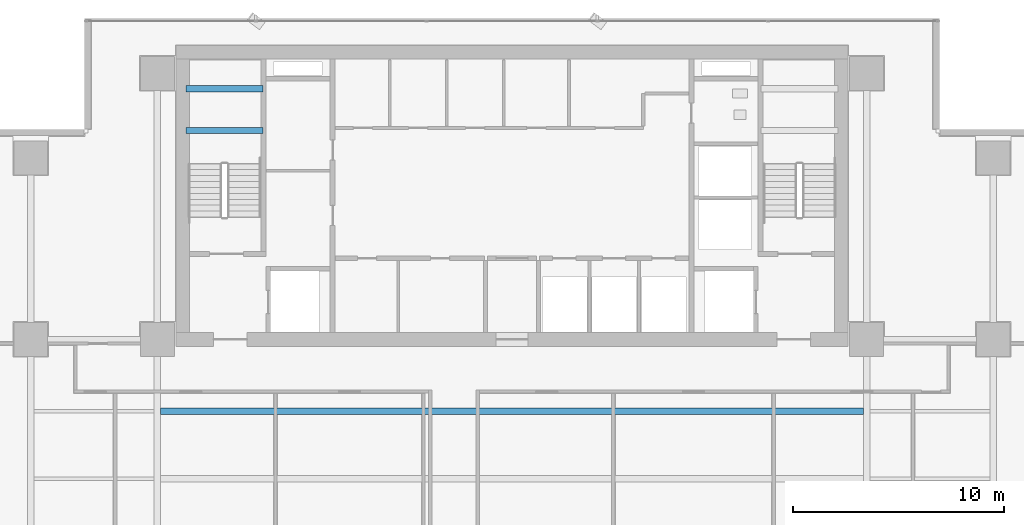
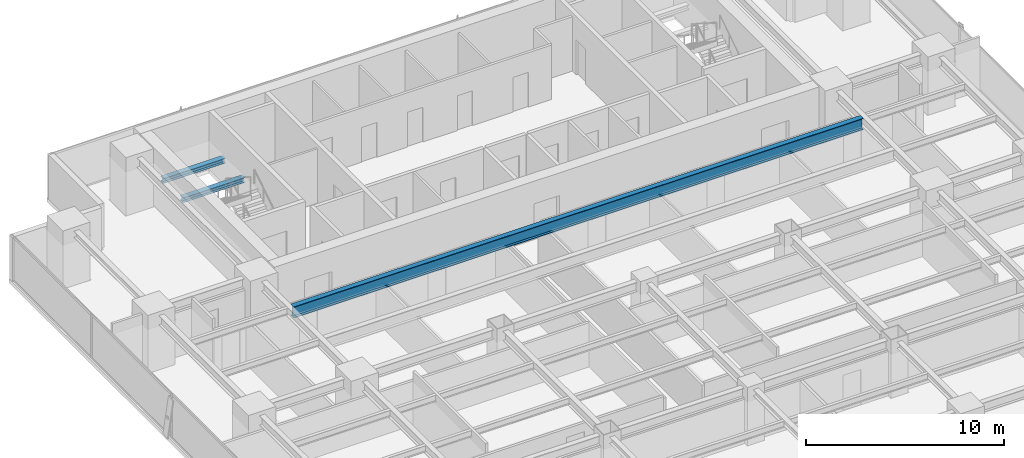
# One storey, part 19 of 37: 3 beams.
"""IFC4 building model written with IfcOpenShell, lengths in metres."""

import ifcopenshell
import ifcopenshell.guid

model = None  # the IFC model being written
_history = None  # IfcOwnerHistory: only IFC2X3 demands one
_inside = {}  # id of a spatial element -> (the spatial element, [elements in it])
_under = {}  # id of a project, library or spatial element -> (it, [spatial elements below it])
_declared = {}  # id of a project -> (the project, [libraries it declares])
_typed = {}  # id of a type object -> (the type object, [elements of that type])
_made_of = {}  # id of a material, layer set ... -> (it, [elements and type objects made of it])


def new_model(schema):
    """Start an empty IFC model of exactly this schema.

    Asked for "IFC4X3", IfcOpenShell would pick the latest addendum, in which some entities
    have other attributes; the version numbers below select the first issue.
    IFC2X3 requires an IfcOwnerHistory on every rooted entity: one is made here for all.
    """
    global model, _history
    if schema == "IFC4X3":
        model = ifcopenshell.file(schema_version=(4, 3, 0, 0))
    else:
        model = ifcopenshell.file(schema=schema)
    _inside.clear()
    _under.clear()
    _declared.clear()
    _typed.clear()
    _made_of.clear()
    _history = None
    if model.schema == "IFC2X3":
        org = make("IfcOrganization", Name="unknown")
        user = make(
            "IfcPersonAndOrganization",
            ThePerson=make("IfcPerson", FamilyName="unknown"),
            TheOrganization=org,
        )
        app = make(
            "IfcApplication",
            ApplicationDeveloper=org,
            Version="unknown",
            ApplicationFullName="unknown",
            ApplicationIdentifier="unknown",
        )
        _history = make(
            "IfcOwnerHistory",
            OwningUser=user,
            OwningApplication=app,
            ChangeAction="ADDED",
            CreationDate=0,
        )
    return model


def make(cls, **values):
    """One entity of the class cls with the attributes given. An attribute that is None is left unset."""
    return model.create_entity(
        cls, **{name: value for name, value in values.items() if value is not None}
    )


def rooted(cls, **values):
    """An entity with a GlobalId (a new one), such as an element, a storey or a relation."""
    return make(cls, GlobalId=ifcopenshell.guid.new(), OwnerHistory=_history, **values)


def si_unit(unit_type, name, prefix=None):
    """IfcSIUnit, for example si_unit("LENGTHUNIT", "METRE", prefix="MILLI")."""
    return make("IfcSIUnit", UnitType=unit_type, Prefix=prefix, Name=name)


def assignment(units):
    """IfcUnitAssignment: the units of a project."""
    return None if units is None else make("IfcUnitAssignment", Units=units)


def point(xyz):
    """IfcCartesianPoint."""
    return None if xyz is None else make("IfcCartesianPoint", Coordinates=xyz)


def direction(xyz):
    """IfcDirection."""
    return None if xyz is None else make("IfcDirection", DirectionRatios=xyz)


def frame(location, z_axis=None, x_axis=None):
    """IfcAxis2Placement3D, a coordinate frame: its origin and axes. An axis left out is left unset."""
    return make(
        "IfcAxis2Placement3D",
        Location=point(location),
        Axis=direction(z_axis),
        RefDirection=direction(x_axis),
    )


def frame_2d(location, x_axis=None):
    """IfcAxis2Placement2D, a coordinate frame in the plane: its origin and x axis."""
    return make(
        "IfcAxis2Placement2D", Location=point(location), RefDirection=direction(x_axis)
    )


def origin():
    """The frame at (0, 0, 0) with its axes left unset."""
    return frame((0.0, 0.0, 0.0))


def origin_2d():
    """The frame at (0, 0) in the plane with its x axis left unset."""
    return frame_2d((0.0, 0.0))


def place(relative_to, where):
    """IfcLocalPlacement: puts the frame where relative to a parent placement (None: the world)."""
    return make(
        "IfcLocalPlacement", PlacementRelTo=relative_to, RelativePlacement=where
    )


def context(
    kind, dimensions, precision=None, world=None, true_north=None, identifier=None
):
    """IfcGeometricRepresentationContext, for example the 3D "Model" context."""
    return make(
        "IfcGeometricRepresentationContext",
        ContextIdentifier=identifier,
        ContextType=kind,
        CoordinateSpaceDimension=dimensions,
        Precision=precision,
        WorldCoordinateSystem=world,
        TrueNorth=true_north,
    )


def subcontext(parent, identifier, kind, view, scale=None):
    """IfcGeometricRepresentationSubContext, for example "Body" below "Model"."""
    return make(
        "IfcGeometricRepresentationSubContext",
        ContextIdentifier=identifier,
        ContextType=kind,
        ParentContext=parent,
        TargetScale=scale,
        TargetView=view,
    )


def project(units=None, contexts=None):
    """IfcProject with its units and contexts."""
    return rooted(
        "IfcProject",
        Name="project",
        RepresentationContexts=contexts,
        UnitsInContext=assignment(units),
    )


def spatial(cls, under=None, at=None, **own):
    """A site, building, storey or space (cls), placed at a placement, below another one or the project."""
    s = rooted(cls, ObjectPlacement=at, **own)
    if under is not None:
        _under.setdefault(under.id(), (under, []))[1].append(s)
    return s


def profile(cls, at=None, kind="AREA", **sizes):
    """A parametric profile (cls). Its sizes go by their IFC names, for example OverallWidth=200.0."""
    return make(cls, ProfileType=kind, Position=at, **sizes)


def i_section(**sizes):
    """IfcIShapeProfileDef."""
    return profile("IfcIShapeProfileDef", **sizes)


def extrude(swept, where, along, depth):
    """IfcExtrudedAreaSolid: the profile swept, set in the frame where, extruded along a direction by depth."""
    return make(
        "IfcExtrudedAreaSolid",
        SweptArea=swept,
        Position=where,
        ExtrudedDirection=direction(along),
        Depth=depth,
    )


def shape(context_of_items, identifier, shape_type, items):
    """IfcShapeRepresentation: the items that make up one representation, for example the "Body"."""
    return make(
        "IfcShapeRepresentation",
        ContextOfItems=context_of_items,
        RepresentationIdentifier=identifier,
        RepresentationType=shape_type,
        Items=items,
    )


def source(mapping_origin, context_of_items, identifier, shape_type, items):
    """IfcRepresentationMap: a shape defined once, which mapped items show again and again."""
    return make(
        "IfcRepresentationMap",
        MappingOrigin=mapping_origin,
        MappedRepresentation=shape(context_of_items, identifier, shape_type, items),
    )


def transform(
    local_origin,
    x_axis=None,
    y_axis=None,
    z_axis=None,
    scale=None,
    scale2=None,
    scale3=None,
    uniform=True,
):
    """IfcCartesianTransformationOperator3D, or its non-uniform kind. x_axis, y_axis, z_axis: its Axis1, 2, 3."""
    if uniform:
        return make(
            "IfcCartesianTransformationOperator3D",
            Axis1=direction(x_axis),
            Axis2=direction(y_axis),
            LocalOrigin=point(local_origin),
            Scale=scale,
            Axis3=direction(z_axis),
        )
    return make(
        "IfcCartesianTransformationOperator3DnonUniform",
        Axis1=direction(x_axis),
        Axis2=direction(y_axis),
        LocalOrigin=point(local_origin),
        Scale=scale,
        Axis3=direction(z_axis),
        Scale2=scale2,
        Scale3=scale3,
    )


def mapped(mapping_source, mapping_target):
    """IfcMappedItem: shows the shape of a source again, moved by a transform."""
    return make(
        "IfcMappedItem", MappingSource=mapping_source, MappingTarget=mapping_target
    )


def material(Name=None, Category=None):
    """IfcMaterial."""
    return make("IfcMaterial", Name=Name, Category=Category)


def material_profile(
    of_material, cross_section, Name=None, Category=None, Priority=None
):
    """IfcMaterialProfile: a cross section and its material."""
    return make(
        "IfcMaterialProfile",
        Name=Name,
        Material=of_material,
        Profile=cross_section,
        Priority=Priority,
        Category=Category,
    )


def profile_set(profiles, Name=None, composite=None):
    """IfcMaterialProfileSet."""
    return make(
        "IfcMaterialProfileSet",
        Name=Name,
        MaterialProfiles=profiles,
        CompositeProfile=composite,
    )


def made_of(thing, what):
    """Note that an element or type object is made of a material, layer set ...; save() writes the relation."""
    if what is not None:
        _made_of.setdefault(what.id(), (what, []))[1].append(thing)
    return thing


def type_object(cls, material=None, **own):
    """A type object (cls), such as IfcWallType, which elements share."""
    return made_of(rooted(cls, **own), material)


def element(
    cls,
    number,
    at=None,
    inside=None,
    cuts=None,
    type_object=None,
    material=None,
    context=None,
    identifier="Body",
    shape_type=None,
    held_by="IfcProductDefinitionShape",
    body=None,
    shapes=None,
    **own,
):
    """One element of the class cls, such as IfcWall. Its Tag is "e" and its number.

    at: its placement. inside: the storey or other place that contains it. cuts: it is an
    opening in that element (IfcRelVoidsElement). A single representation is given by context,
    identifier, shape_type and body (its items); several are given by shapes. held_by: the class
    of the entity that holds the representations. save() writes the other relations.
    """
    e = rooted(cls, Tag="e%d" % number, ObjectPlacement=at, **own)
    if body is not None:
        shapes = [shape(context, identifier, shape_type, body)]
    if shapes is not None:
        e.Representation = make(held_by, Representations=shapes)
    if inside is not None:
        _inside.setdefault(inside.id(), (inside, []))[1].append(e)
    if cuts is not None:
        rooted(
            "IfcRelVoidsElement", RelatingBuildingElement=cuts, RelatedOpeningElement=e
        )
    if type_object is not None:
        _typed.setdefault(type_object.id(), (type_object, []))[1].append(e)
    return made_of(e, material)


def aggregate(whole, parts):
    """IfcRelAggregates: a whole, such as a stair, and the parts it consists of."""
    return rooted("IfcRelAggregates", RelatingObject=whole, RelatedObjects=parts)


def save(model, path):
    """Write the relations noted so far, then the file.

    IfcRelAggregates (storeys below a building ...), IfcRelContainedInSpatialStructure (elements
    in a storey), IfcRelDefinesByType, IfcRelAssociatesMaterial and IfcRelDeclares: one each for
    every whole, place, type object, material and project.
    """
    for whole, parts in _under.values():
        aggregate(whole, parts)
    for where, things in _inside.values():
        rooted(
            "IfcRelContainedInSpatialStructure",
            RelatedElements=things,
            RelatingStructure=where,
        )
    for kind, things in _typed.values():
        rooted("IfcRelDefinesByType", RelatedObjects=things, RelatingType=kind)
    for what, things in _made_of.values():
        rooted("IfcRelAssociatesMaterial", RelatedObjects=things, RelatingMaterial=what)
    for by, libraries in _declared.values():
        rooted("IfcRelDeclares", RelatingContext=by, RelatedDefinitions=libraries)
    model.write(path)


model = new_model("IFC4")

# Units and contexts
model_context = context("Model", 3, precision=1e-05, world=origin(), true_north=direction((0.0, 1.0)))
body_context = subcontext(model_context, "Body", "Model", "MODEL_VIEW")
ifc_project = project(units=[si_unit("LENGTHUNIT", "METRE"), si_unit("AREAUNIT", "SQUARE_METRE"), si_unit("VOLUMEUNIT", "CUBIC_METRE"), si_unit("PLANEANGLEUNIT", "RADIAN"), si_unit("MASSUNIT", "GRAM", prefix="KILO")], contexts=[model_context])

# Site, building, storey
site_placement = place(None, origin())
site = spatial("IfcSite", under=ifc_project, at=site_placement, CompositionType="ELEMENT")
building_placement = place(site_placement, origin())
building = spatial("IfcBuilding", under=site, at=building_placement, Name="Sumidabori Civic Tower", CompositionType="ELEMENT")
storey_placement = place(building_placement, frame((0.0, 0.0, 95.60009765625)))
storey = spatial("IfcBuildingStorey", under=building, at=storey_placement, Name="L24", CompositionType="ELEMENT", Elevation=95.60009765625)

# Beams
ifc_material = material(Name="Steel SN490", Category="steel")
ifc_material_profile_1 = material_profile(ifc_material, i_section(OverallWidth=0.300048828125, OverallDepth=0.300048828125, WebThickness=0.010986328125, FlangeThickness=0.01904296875, at=origin_2d()), Name="HE 300 B")
ifc_profile_set_1 = profile_set([ifc_material_profile_1], Name="Steel SN490")
beam_type_1 = type_object("IfcBeamType", Name="BM-LDG-300", PredefinedType="BEAM", material=ifc_profile_set_1)
shared_shape_1 = source(origin(), body_context, "Body", "SweptSolid", [
    extrude(i_section(OverallWidth=0.300048828125, OverallDepth=0.300048828125, WebThickness=0.010986328125, FlangeThickness=0.01904296875, at=origin_2d()), origin(), (0.0, 0.0, 1.0), 3.64990234375),
])
for number, where, z_axis, x_axis, name in (
    (1, (-15.449951171875, 20.09765625, 1.449951171875), (1.0, 0.0, 0.0), (0.0, 1.0, 0.0), "Stair ST-1 Landing Support Beam L24-1A"),
    (2, (-15.449951171875, 22.069580078125, 1.449951171875), (1.0, 0.0, 0.0), (0.0, 1.0, 0.0), "Stair ST-1 Landing Trimmer Beam L24-1B"),
):
    element("IfcBeam", number, at=place(storey_placement, frame(where, z_axis=z_axis, x_axis=x_axis)), inside=storey, type_object=beam_type_1, Name=name, PredefinedType="BEAM", context=body_context, shape_type="MappedRepresentation", body=[
        mapped(shared_shape_1, transform((0.0, 0.0, 0.0), x_axis=(1.0, 0.0, 0.0), y_axis=(0.0, 1.0, 0.0), z_axis=(0.0, 0.0, 1.0), scale=1.0)),
    ])
ifc_material_profile_2 = material_profile(ifc_material, i_section(OverallWidth=0.300048828125, OverallDepth=0.699951171875, WebThickness=0.01708984375, FlangeThickness=0.031982421875, at=origin_2d()), Name="HE 700 B")
ifc_profile_set_2 = profile_set([ifc_material_profile_2], Name="Steel SN490")
beam_type_2 = type_object("IfcBeamType", Name="BM-GIRD-700", PredefinedType="BEAM", material=ifc_profile_set_2)
shared_shape_2 = source(origin(), body_context, "Body", "SweptSolid", [
    extrude(i_section(OverallWidth=0.300048828125, OverallDepth=0.699951171875, WebThickness=0.01708984375, FlangeThickness=0.031982421875, at=origin_2d()), origin(), (0.0, 0.0, 1.0), 33.2998046875),
])
beam_placement = place(storey_placement, frame((-16.64990234375, 6.800048828125, 3.010009765625), z_axis=(1.0, 0.0, 0.0), x_axis=(0.0, 1.0, 0.0)))
element("IfcBeam", 3, at=beam_placement, inside=storey, type_object=beam_type_2, Name="North Bay Floor Beam L24 JSTN-54", PredefinedType="BEAM", context=body_context, shape_type="MappedRepresentation", body=[
    mapped(shared_shape_2, transform((0.0, 0.0, 0.0), x_axis=(1.0, 0.0, 0.0), y_axis=(0.0, 1.0, 0.0), z_axis=(0.0, 0.0, 1.0), scale=1.0)),
])

save(model, "model.ifc")
